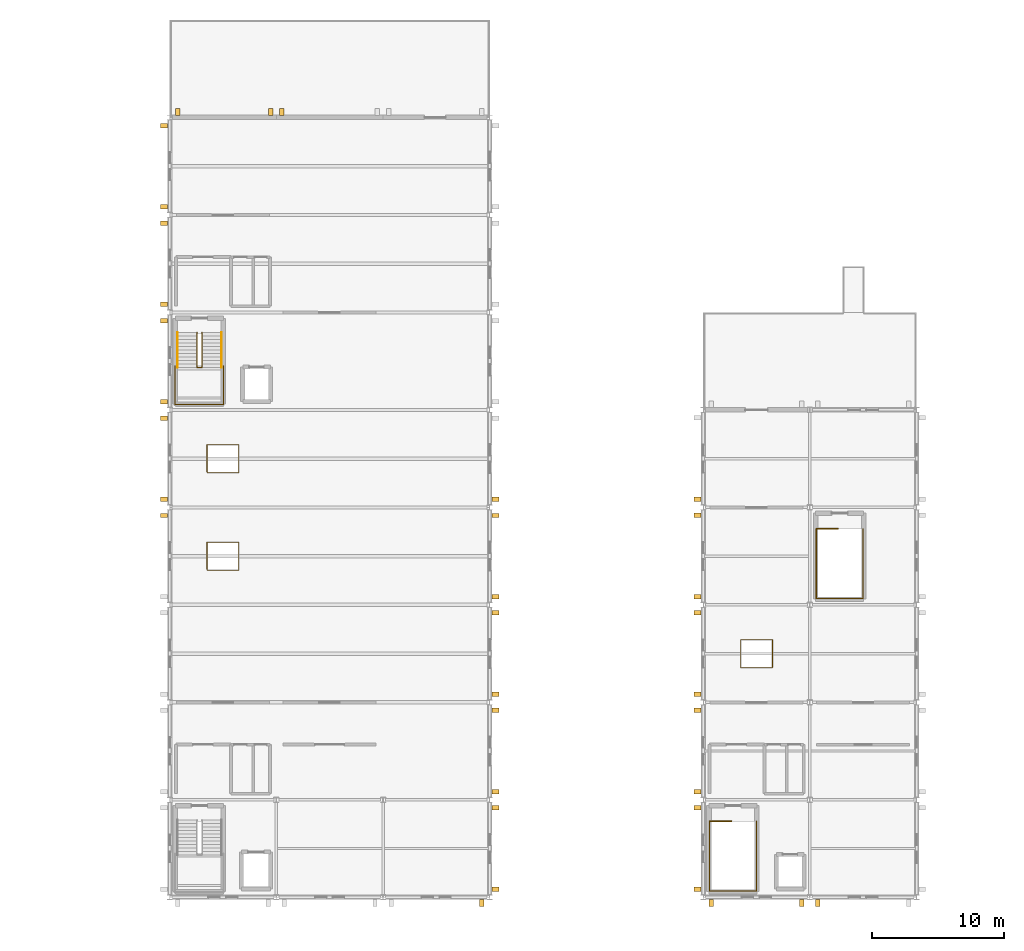
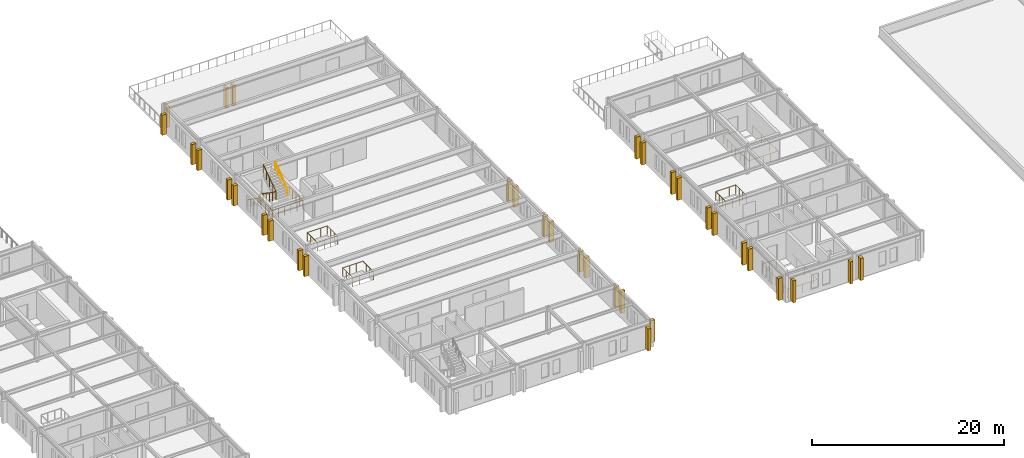
# One storey, part 18 of 19: 34 shading devices, 9 railings.
"""IFC4 building model written with IfcOpenShell, lengths in metres."""

from ifc_helpers import new_model, si_unit, direction, frame, origin, origin_2d, place, context, subcontext, project, spatial, rectangle, circle, extrude, material, type_object, element, save


model = new_model("IFC4")

# Units and contexts
model_context = context("Model", 3, precision=1e-05, world=origin(), true_north=direction((0.0, 1.0)))
body_context = subcontext(model_context, "Body", "Model", "MODEL_VIEW")
ifc_project = project(units=[si_unit("LENGTHUNIT", "METRE"), si_unit("AREAUNIT", "SQUARE_METRE"), si_unit("VOLUMEUNIT", "CUBIC_METRE"), si_unit("PLANEANGLEUNIT", "RADIAN"), si_unit("MASSUNIT", "GRAM", prefix="KILO")], contexts=[model_context])

# Site, building, storey
site_placement = place(None, origin())
site = spatial("IfcSite", under=ifc_project, at=site_placement, CompositionType="ELEMENT")
building_placement = place(site_placement, origin())
building = spatial("IfcBuilding", under=site, at=building_placement, Name="Cimatlan Art Gallery", CompositionType="ELEMENT")
storey_placement = place(building_placement, frame((0.0, 0.0, 17.39990234375)))
storey = spatial("IfcBuildingStorey", under=building, at=storey_placement, Name="L04", CompositionType="ELEMENT", Elevation=17.39990234375)

# Railings
ifc_material_1 = material(Name="Painted steel and bronze interior balustrade", Category="steel")
railing_type_1 = type_object("IfcRailingType", Name="RL-BAL-INT-1120", PredefinedType="BALUSTRADE", material=ifc_material_1)
railing_1_placement = place(storey_placement, frame((117.550048828125, 29.679931640625, 0.0)))
element("IfcRailing", 1, at=railing_1_placement, inside=storey, type_object=railing_type_1, Name="GR-WELL-TOP-C4", PredefinedType="BALUSTRADE", context=body_context, shape_type="SweptSolid", body=[
    extrude(circle(Radius=0.02392578125, at=origin_2d()), frame((0.0, 0.0, 1.09619140625), z_axis=(-1.0, 0.0, 0.0), x_axis=(0.0, -1.0, 0.0)), (0.0, 0.0, 1.0), 1.670166015625),
    extrude(circle(Radius=0.02392578125, at=origin_2d()), frame((-1.670166015625, 0.0, 1.09619140625), z_axis=(0.0, -1.0, 0.0), x_axis=(1.0, 0.0, 0.0)), (0.0, 0.0, 1.0), 5.300048828125),
    extrude(circle(Radius=0.02392578125, at=origin_2d()), frame((-1.670166015625, -5.300048828125, 1.09619140625), z_axis=(1.0, 0.0, 0.0), x_axis=(0.0, 1.0, 0.0)), (0.0, 0.0, 1.0), 3.56005859375),
    extrude(circle(Radius=0.02392578125, at=origin_2d()), frame((1.889892578125, -5.300048828125, 1.09619140625), z_axis=(0.0, 1.0, 0.0), x_axis=(-1.0, 0.0, 0.0)), (0.0, 0.0, 1.0), 5.300048828125),
    extrude(circle(Radius=0.02001953125, at=origin_2d()), origin(), (0.0, 0.0, 1.0), 1.072021484375),
    extrude(circle(Radius=0.02001953125, at=origin_2d()), frame((-0.8349609375, 0.0, 0.0)), (0.0, 0.0, 1.0), 1.072021484375),
    extrude(circle(Radius=0.02001953125, at=origin_2d()), frame((-1.670166015625, 0.0, 0.0)), (0.0, 0.0, 1.0), 1.072021484375),
    extrude(circle(Radius=0.02001953125, at=origin_2d()), frame((-1.670166015625, -0.88330078125, 0.0)), (0.0, 0.0, 1.0), 1.072021484375),
    extrude(circle(Radius=0.02001953125, at=origin_2d()), frame((-1.670166015625, -1.7666015625, 0.0)), (0.0, 0.0, 1.0), 1.072021484375),
    extrude(circle(Radius=0.02001953125, at=origin_2d()), frame((-1.670166015625, -2.64990234375, 0.0)), (0.0, 0.0, 1.0), 1.072021484375),
    extrude(circle(Radius=0.02001953125, at=origin_2d()), frame((-1.670166015625, -3.533447265625, 0.0)), (0.0, 0.0, 1.0), 1.072021484375),
    extrude(circle(Radius=0.02001953125, at=origin_2d()), frame((-1.670166015625, -4.416748046875, 0.0)), (0.0, 0.0, 1.0), 1.072021484375),
    extrude(circle(Radius=0.02001953125, at=origin_2d()), frame((-1.670166015625, -5.300048828125, 0.0)), (0.0, 0.0, 1.0), 1.072021484375),
    extrude(circle(Radius=0.02001953125, at=origin_2d()), frame((-0.7802734375, -5.300048828125, 0.0)), (0.0, 0.0, 1.0), 1.072021484375),
    extrude(circle(Radius=0.02001953125, at=origin_2d()), frame((0.10986328125, -5.300048828125, 0.0)), (0.0, 0.0, 1.0), 1.072021484375),
    extrude(circle(Radius=0.02001953125, at=origin_2d()), frame((1.0, -5.300048828125, 0.0)), (0.0, 0.0, 1.0), 1.072021484375),
    extrude(circle(Radius=0.02001953125, at=origin_2d()), frame((1.889892578125, -5.300048828125, 0.0)), (0.0, 0.0, 1.0), 1.072021484375),
    extrude(circle(Radius=0.02001953125, at=origin_2d()), frame((1.889892578125, -4.416748046875, 0.0)), (0.0, 0.0, 1.0), 1.072021484375),
    extrude(circle(Radius=0.02001953125, at=origin_2d()), frame((1.889892578125, -3.533447265625, 0.0)), (0.0, 0.0, 1.0), 1.072021484375),
    extrude(circle(Radius=0.02001953125, at=origin_2d()), frame((1.889892578125, -2.64990234375, 0.0)), (0.0, 0.0, 1.0), 1.072021484375),
    extrude(circle(Radius=0.02001953125, at=origin_2d()), frame((1.889892578125, -1.7666015625, 0.0)), (0.0, 0.0, 1.0), 1.072021484375),
    extrude(circle(Radius=0.02001953125, at=origin_2d()), frame((1.889892578125, -0.88330078125, 0.0)), (0.0, 0.0, 1.0), 1.072021484375),
    extrude(circle(Radius=0.02001953125, at=origin_2d()), frame((1.889892578125, 0.0, 0.0)), (0.0, 0.0, 1.0), 1.072021484375),
])
railing_2_placement = place(storey_placement, frame((75.31005859375, 64.239990234375, 1.800048828125)))
element("IfcRailing", 2, at=railing_2_placement, inside=storey, type_object=railing_type_1, Name="STR-C6-L04-LGRD", PredefinedType="BALUSTRADE", context=body_context, shape_type="SweptSolid", body=[
    extrude(circle(Radius=0.02392578125, at=origin_2d()), frame((0.0, 0.0, 1.09619140625), z_axis=(0.0, -1.0, 0.0), x_axis=(1.0, 0.0, 0.0)), (0.0, 0.0, 1.0), 2.929931640625),
    extrude(circle(Radius=0.02392578125, at=origin_2d()), frame((0.0, -2.929931640625, 1.09619140625), z_axis=(1.0, 0.0, 0.0), x_axis=(0.0, 1.0, 0.0)), (0.0, 0.0, 1.0), 3.669921875),
    extrude(circle(Radius=0.02392578125, at=origin_2d()), frame((3.669921875, -2.929931640625, 1.09619140625), z_axis=(0.0, 1.0, 0.0), x_axis=(-1.0, 0.0, 0.0)), (0.0, 0.0, 1.0), 2.929931640625),
    extrude(circle(Radius=0.02001953125, at=origin_2d()), origin(), (0.0, 0.0, 1.0), 1.072021484375),
    extrude(circle(Radius=0.02001953125, at=origin_2d()), frame((0.0, -0.732421875, 0.0)), (0.0, 0.0, 1.0), 1.072021484375),
    extrude(circle(Radius=0.02001953125, at=origin_2d()), frame((0.0, -1.46484375, 0.0)), (0.0, 0.0, 1.0), 1.072021484375),
    extrude(circle(Radius=0.02001953125, at=origin_2d()), frame((0.0, -2.197509765625, 0.0)), (0.0, 0.0, 1.0), 1.072021484375),
    extrude(circle(Radius=0.02001953125, at=origin_2d()), frame((0.0, -2.929931640625, 0.0)), (0.0, 0.0, 1.0), 1.072021484375),
    extrude(circle(Radius=0.02001953125, at=origin_2d()), frame((0.73388671875, -2.929931640625, 0.0)), (0.0, 0.0, 1.0), 1.072021484375),
    extrude(circle(Radius=0.02001953125, at=origin_2d()), frame((1.468017578125, -2.929931640625, 0.0)), (0.0, 0.0, 1.0), 1.072021484375),
    extrude(circle(Radius=0.02001953125, at=origin_2d()), frame((2.201904296875, -2.929931640625, 0.0)), (0.0, 0.0, 1.0), 1.072021484375),
    extrude(circle(Radius=0.02001953125, at=origin_2d()), frame((2.93603515625, -2.929931640625, 0.0)), (0.0, 0.0, 1.0), 1.072021484375),
    extrude(circle(Radius=0.02001953125, at=origin_2d()), frame((3.669921875, -2.929931640625, 0.0)), (0.0, 0.0, 1.0), 1.072021484375),
    extrude(circle(Radius=0.02001953125, at=origin_2d()), frame((3.669921875, -2.197509765625, 0.0)), (0.0, 0.0, 1.0), 1.072021484375),
    extrude(circle(Radius=0.02001953125, at=origin_2d()), frame((3.669921875, -1.46484375, 0.0)), (0.0, 0.0, 1.0), 1.072021484375),
    extrude(circle(Radius=0.02001953125, at=origin_2d()), frame((3.669921875, -0.732421875, 0.0)), (0.0, 0.0, 1.0), 1.072021484375),
    extrude(circle(Radius=0.02001953125, at=origin_2d()), frame((3.669921875, 0.0, 0.0)), (0.0, 0.0, 1.0), 1.072021484375),
])
railing_3_placement = place(storey_placement, frame((76.969970703125, 66.780029296875, 0.0)))
element("IfcRailing", 3, at=railing_3_placement, inside=storey, type_object=railing_type_1, Name="STR-C6-L04-GRD", PredefinedType="BALUSTRADE", context=body_context, shape_type="SweptSolid", body=[
    extrude(circle(Radius=0.02392578125, at=origin_2d()), frame((0.0, 0.0, 1.09619140625), z_axis=(0.0, -0.827224042694, 0.561872212509), x_axis=(1.0, 0.0, 0.0)), (0.0, 0.0, 1.0), 3.20361328125),
    extrude(circle(Radius=0.02392578125, at=origin_2d()), frame((0.0, -2.650146484375, 2.89599609375), z_axis=(1.0, 0.0, 0.0), x_axis=(0.0, 1.0, 0.0)), (0.0, 0.0, 1.0), 0.400146484375),
    extrude(circle(Radius=0.02392578125, at=origin_2d()), frame((0.400146484375, -2.650146484375, 2.89599609375), z_axis=(0.0, 0.827224042694, 0.561872212509), x_axis=(-1.0, 0.0, 0.0)), (0.0, 0.0, 1.0), 3.20361328125),
    extrude(circle(Radius=0.02001953125, at=origin_2d()), origin(), (0.0, 0.0, 1.0), 1.072021484375),
    extrude(circle(Radius=0.02001953125, at=origin_2d()), frame((0.0, -0.66259765625, 0.449951171875)), (0.0, 0.0, 1.0), 1.072021484375),
    extrude(circle(Radius=0.02001953125, at=origin_2d()), frame((0.0, -1.3251953125, 0.89990234375)), (0.0, 0.0, 1.0), 1.072021484375),
    extrude(circle(Radius=0.02001953125, at=origin_2d()), frame((0.0, -1.987548828125, 1.35009765625)), (0.0, 0.0, 1.0), 1.072021484375),
    extrude(circle(Radius=0.02001953125, at=origin_2d()), frame((0.0, -2.650146484375, 1.800048828125)), (0.0, 0.0, 1.0), 1.072021484375),
    extrude(circle(Radius=0.02001953125, at=origin_2d()), frame((0.400146484375, -2.650146484375, 1.800048828125)), (0.0, 0.0, 1.0), 1.072021484375),
    extrude(circle(Radius=0.02001953125, at=origin_2d()), frame((0.400146484375, -1.987548828125, 2.25)), (0.0, 0.0, 1.0), 1.072021484375),
    extrude(circle(Radius=0.02001953125, at=origin_2d()), frame((0.400146484375, -1.3251953125, 2.7001953125)), (0.0, 0.0, 1.0), 1.072021484375),
    extrude(circle(Radius=0.02001953125, at=origin_2d()), frame((0.400146484375, -0.66259765625, 3.150146484375)), (0.0, 0.0, 1.0), 1.072021484375),
    extrude(circle(Radius=0.02001953125, at=origin_2d()), frame((0.400146484375, 0.0, 3.60009765625)), (0.0, 0.0, 1.0), 1.072021484375),
])
railing_4_placement = place(storey_placement, frame((125.64990234375, 51.8798828125, 0.0)))
element("IfcRailing", 4, at=railing_4_placement, inside=storey, type_object=railing_type_1, Name="GR-WELL-TOP-C9", PredefinedType="BALUSTRADE", context=body_context, shape_type="SweptSolid", body=[
    extrude(circle(Radius=0.02392578125, at=origin_2d()), frame((0.0, 0.0, 1.09619140625), z_axis=(-1.0, 0.0, 0.0), x_axis=(0.0, -1.0, 0.0)), (0.0, 0.0, 1.0), 1.669921875),
    extrude(circle(Radius=0.02392578125, at=origin_2d()), frame((-1.669921875, 0.0, 1.09619140625), z_axis=(0.0, -1.0, 0.0), x_axis=(1.0, 0.0, 0.0)), (0.0, 0.0, 1.0), 5.2998046875),
    extrude(circle(Radius=0.02392578125, at=origin_2d()), frame((-1.669921875, -5.2998046875, 1.09619140625), z_axis=(1.0, 0.0, 0.0), x_axis=(0.0, 1.0, 0.0)), (0.0, 0.0, 1.0), 3.56005859375),
    extrude(circle(Radius=0.02392578125, at=origin_2d()), frame((1.89013671875, -5.2998046875, 1.09619140625), z_axis=(0.0, 1.0, 0.0), x_axis=(-1.0, 0.0, 0.0)), (0.0, 0.0, 1.0), 5.2998046875),
    extrude(circle(Radius=0.02001953125, at=origin_2d()), origin(), (0.0, 0.0, 1.0), 1.072021484375),
    extrude(circle(Radius=0.02001953125, at=origin_2d()), frame((-0.8349609375, 0.0, 0.0)), (0.0, 0.0, 1.0), 1.072021484375),
    extrude(circle(Radius=0.02001953125, at=origin_2d()), frame((-1.669921875, 0.0, 0.0)), (0.0, 0.0, 1.0), 1.072021484375),
    extrude(circle(Radius=0.02001953125, at=origin_2d()), frame((-1.669921875, -0.88330078125, 0.0)), (0.0, 0.0, 1.0), 1.072021484375),
    extrude(circle(Radius=0.02001953125, at=origin_2d()), frame((-1.669921875, -1.7666015625, 0.0)), (0.0, 0.0, 1.0), 1.072021484375),
    extrude(circle(Radius=0.02001953125, at=origin_2d()), frame((-1.669921875, -2.64990234375, 0.0)), (0.0, 0.0, 1.0), 1.072021484375),
    extrude(circle(Radius=0.02001953125, at=origin_2d()), frame((-1.669921875, -3.533203125, 0.0)), (0.0, 0.0, 1.0), 1.072021484375),
    extrude(circle(Radius=0.02001953125, at=origin_2d()), frame((-1.669921875, -4.41650390625, 0.0)), (0.0, 0.0, 1.0), 1.072021484375),
    extrude(circle(Radius=0.02001953125, at=origin_2d()), frame((-1.669921875, -5.2998046875, 0.0)), (0.0, 0.0, 1.0), 1.072021484375),
    extrude(circle(Radius=0.02001953125, at=origin_2d()), frame((-0.77978515625, -5.2998046875, 0.0)), (0.0, 0.0, 1.0), 1.072021484375),
    extrude(circle(Radius=0.02001953125, at=origin_2d()), frame((0.110107421875, -5.2998046875, 0.0)), (0.0, 0.0, 1.0), 1.072021484375),
    extrude(circle(Radius=0.02001953125, at=origin_2d()), frame((1.0, -5.2998046875, 0.0)), (0.0, 0.0, 1.0), 1.072021484375),
    extrude(circle(Radius=0.02001953125, at=origin_2d()), frame((1.89013671875, -5.2998046875, 0.0)), (0.0, 0.0, 1.0), 1.072021484375),
    extrude(circle(Radius=0.02001953125, at=origin_2d()), frame((1.89013671875, -4.41650390625, 0.0)), (0.0, 0.0, 1.0), 1.072021484375),
    extrude(circle(Radius=0.02001953125, at=origin_2d()), frame((1.89013671875, -3.533203125, 0.0)), (0.0, 0.0, 1.0), 1.072021484375),
    extrude(circle(Radius=0.02001953125, at=origin_2d()), frame((1.89013671875, -2.64990234375, 0.0)), (0.0, 0.0, 1.0), 1.072021484375),
    extrude(circle(Radius=0.02001953125, at=origin_2d()), frame((1.89013671875, -1.7666015625, 0.0)), (0.0, 0.0, 1.0), 1.072021484375),
    extrude(circle(Radius=0.02001953125, at=origin_2d()), frame((1.89013671875, -0.88330078125, 0.0)), (0.0, 0.0, 1.0), 1.072021484375),
    extrude(circle(Radius=0.02001953125, at=origin_2d()), frame((1.89013671875, 0.0, 0.0)), (0.0, 0.0, 1.0), 1.072021484375),
])
railing_5_placement = place(storey_placement, frame((77.739990234375, 48.739990234375, 0.0)))
element("IfcRailing", 5, at=railing_5_placement, inside=storey, type_object=railing_type_1, Name="GR-OCU-L04-B3S", PredefinedType="BALUSTRADE", context=body_context, shape_type="SweptSolid", body=[
    extrude(circle(Radius=0.02392578125, at=origin_2d()), frame((0.0, 0.0, 1.09619140625), z_axis=(1.0, 0.0, 0.0), x_axis=(0.0, 1.0, 0.0)), (0.0, 0.0, 1.0), 2.419921875),
    extrude(circle(Radius=0.02392578125, at=origin_2d()), frame((2.419921875, 0.0, 1.09619140625), z_axis=(0.0, 1.0, 0.0), x_axis=(-1.0, 0.0, 0.0)), (0.0, 0.0, 1.0), 2.1201171875),
    extrude(circle(Radius=0.02392578125, at=origin_2d()), frame((2.419921875, 2.1201171875, 1.09619140625), z_axis=(-1.0, 0.0, 0.0), x_axis=(0.0, -1.0, 0.0)), (0.0, 0.0, 1.0), 2.419921875),
    extrude(circle(Radius=0.02392578125, at=origin_2d()), frame((0.0, 2.1201171875, 1.09619140625), z_axis=(0.0, -1.0, 0.0), x_axis=(1.0, 0.0, 0.0)), (0.0, 0.0, 1.0), 2.080078125),
    extrude(circle(Radius=0.02001953125, at=origin_2d()), origin(), (0.0, 0.0, 1.0), 1.072021484375),
    extrude(circle(Radius=0.02001953125, at=origin_2d()), frame((0.806640625, 0.0, 0.0)), (0.0, 0.0, 1.0), 1.072021484375),
    extrude(circle(Radius=0.02001953125, at=origin_2d()), frame((1.61328125, 0.0, 0.0)), (0.0, 0.0, 1.0), 1.072021484375),
    extrude(circle(Radius=0.02001953125, at=origin_2d()), frame((2.419921875, 0.0, 0.0)), (0.0, 0.0, 1.0), 1.072021484375),
    extrude(circle(Radius=0.02001953125, at=origin_2d()), frame((2.419921875, 0.706787109375, 0.0)), (0.0, 0.0, 1.0), 1.072021484375),
    extrude(circle(Radius=0.02001953125, at=origin_2d()), frame((2.419921875, 1.413330078125, 0.0)), (0.0, 0.0, 1.0), 1.072021484375),
    extrude(circle(Radius=0.02001953125, at=origin_2d()), frame((2.419921875, 2.1201171875, 0.0)), (0.0, 0.0, 1.0), 1.072021484375),
    extrude(circle(Radius=0.02001953125, at=origin_2d()), frame((1.61328125, 2.1201171875, 0.0)), (0.0, 0.0, 1.0), 1.072021484375),
    extrude(circle(Radius=0.02001953125, at=origin_2d()), frame((0.806640625, 2.1201171875, 0.0)), (0.0, 0.0, 1.0), 1.072021484375),
    extrude(circle(Radius=0.02001953125, at=origin_2d()), frame((0.0, 2.1201171875, 0.0)), (0.0, 0.0, 1.0), 1.072021484375),
    extrude(circle(Radius=0.02001953125, at=origin_2d()), frame((0.0, 1.4267578125, 0.0)), (0.0, 0.0, 1.0), 1.072021484375),
    extrude(circle(Radius=0.02001953125, at=origin_2d()), frame((0.0, 0.7333984375, 0.0)), (0.0, 0.0, 1.0), 1.072021484375),
    extrude(circle(Radius=0.02001953125, at=origin_2d()), frame((0.0, 0.0400390625, 0.0)), (0.0, 0.0, 1.0), 1.072021484375),
])
railing_6_placement = place(storey_placement, frame((77.739990234375, 56.139892578125, 0.0)))
element("IfcRailing", 6, at=railing_6_placement, inside=storey, type_object=railing_type_1, Name="GR-OCU-L04-B3N", PredefinedType="BALUSTRADE", context=body_context, shape_type="SweptSolid", body=[
    extrude(circle(Radius=0.02392578125, at=origin_2d()), frame((0.0, 0.0, 1.09619140625), z_axis=(1.0, 0.0, 0.0), x_axis=(0.0, 1.0, 0.0)), (0.0, 0.0, 1.0), 2.419921875),
    extrude(circle(Radius=0.02392578125, at=origin_2d()), frame((2.419921875, 0.0, 1.09619140625), z_axis=(0.0, 1.0, 0.0), x_axis=(-1.0, 0.0, 0.0)), (0.0, 0.0, 1.0), 2.1201171875),
    extrude(circle(Radius=0.02392578125, at=origin_2d()), frame((2.419921875, 2.1201171875, 1.09619140625), z_axis=(-1.0, 0.0, 0.0), x_axis=(0.0, -1.0, 0.0)), (0.0, 0.0, 1.0), 2.419921875),
    extrude(circle(Radius=0.02392578125, at=origin_2d()), frame((0.0, 2.1201171875, 1.09619140625), z_axis=(0.0, -1.0, 0.0), x_axis=(1.0, 0.0, 0.0)), (0.0, 0.0, 1.0), 2.080078125),
    extrude(circle(Radius=0.02001953125, at=origin_2d()), origin(), (0.0, 0.0, 1.0), 1.072021484375),
    extrude(circle(Radius=0.02001953125, at=origin_2d()), frame((0.806640625, 0.0, 0.0)), (0.0, 0.0, 1.0), 1.072021484375),
    extrude(circle(Radius=0.02001953125, at=origin_2d()), frame((1.61328125, 0.0, 0.0)), (0.0, 0.0, 1.0), 1.072021484375),
    extrude(circle(Radius=0.02001953125, at=origin_2d()), frame((2.419921875, 0.0, 0.0)), (0.0, 0.0, 1.0), 1.072021484375),
    extrude(circle(Radius=0.02001953125, at=origin_2d()), frame((2.419921875, 0.706787109375, 0.0)), (0.0, 0.0, 1.0), 1.072021484375),
    extrude(circle(Radius=0.02001953125, at=origin_2d()), frame((2.419921875, 1.413330078125, 0.0)), (0.0, 0.0, 1.0), 1.072021484375),
    extrude(circle(Radius=0.02001953125, at=origin_2d()), frame((2.419921875, 2.1201171875, 0.0)), (0.0, 0.0, 1.0), 1.072021484375),
    extrude(circle(Radius=0.02001953125, at=origin_2d()), frame((1.61328125, 2.1201171875, 0.0)), (0.0, 0.0, 1.0), 1.072021484375),
    extrude(circle(Radius=0.02001953125, at=origin_2d()), frame((0.806640625, 2.1201171875, 0.0)), (0.0, 0.0, 1.0), 1.072021484375),
    extrude(circle(Radius=0.02001953125, at=origin_2d()), frame((0.0, 2.1201171875, 0.0)), (0.0, 0.0, 1.0), 1.072021484375),
    extrude(circle(Radius=0.02001953125, at=origin_2d()), frame((0.0, 1.4267578125, 0.0)), (0.0, 0.0, 1.0), 1.072021484375),
    extrude(circle(Radius=0.02001953125, at=origin_2d()), frame((0.0, 0.7333984375, 0.0)), (0.0, 0.0, 1.0), 1.072021484375),
    extrude(circle(Radius=0.02001953125, at=origin_2d()), frame((0.0, 0.0400390625, 0.0)), (0.0, 0.0, 1.0), 1.072021484375),
])
railing_7_placement = place(storey_placement, frame((118.239990234375, 41.340087890625, 0.0)))
element("IfcRailing", 7, at=railing_7_placement, inside=storey, type_object=railing_type_1, Name="GR-OCU-L04-B4S", PredefinedType="BALUSTRADE", context=body_context, shape_type="SweptSolid", body=[
    extrude(circle(Radius=0.02392578125, at=origin_2d()), frame((0.0, 0.0, 1.09619140625), z_axis=(1.0, 0.0, 0.0), x_axis=(0.0, 1.0, 0.0)), (0.0, 0.0, 1.0), 2.419921875),
    extrude(circle(Radius=0.02392578125, at=origin_2d()), frame((2.419921875, 0.0, 1.09619140625), z_axis=(0.0, 1.0, 0.0), x_axis=(-1.0, 0.0, 0.0)), (0.0, 0.0, 1.0), 2.119873046875),
    extrude(circle(Radius=0.02392578125, at=origin_2d()), frame((2.419921875, 2.119873046875, 1.09619140625), z_axis=(-1.0, 0.0, 0.0), x_axis=(0.0, -1.0, 0.0)), (0.0, 0.0, 1.0), 2.419921875),
    extrude(circle(Radius=0.02392578125, at=origin_2d()), frame((0.0, 2.119873046875, 1.09619140625), z_axis=(0.0, -1.0, 0.0), x_axis=(1.0, 0.0, 0.0)), (0.0, 0.0, 1.0), 2.080078125),
    extrude(circle(Radius=0.02001953125, at=origin_2d()), origin(), (0.0, 0.0, 1.0), 1.072021484375),
    extrude(circle(Radius=0.02001953125, at=origin_2d()), frame((0.806640625, 0.0, 0.0)), (0.0, 0.0, 1.0), 1.072021484375),
    extrude(circle(Radius=0.02001953125, at=origin_2d()), frame((1.61328125, 0.0, 0.0)), (0.0, 0.0, 1.0), 1.072021484375),
    extrude(circle(Radius=0.02001953125, at=origin_2d()), frame((2.419921875, 0.0, 0.0)), (0.0, 0.0, 1.0), 1.072021484375),
    extrude(circle(Radius=0.02001953125, at=origin_2d()), frame((2.419921875, 0.70654296875, 0.0)), (0.0, 0.0, 1.0), 1.072021484375),
    extrude(circle(Radius=0.02001953125, at=origin_2d()), frame((2.419921875, 1.413330078125, 0.0)), (0.0, 0.0, 1.0), 1.072021484375),
    extrude(circle(Radius=0.02001953125, at=origin_2d()), frame((2.419921875, 2.119873046875, 0.0)), (0.0, 0.0, 1.0), 1.072021484375),
    extrude(circle(Radius=0.02001953125, at=origin_2d()), frame((1.61328125, 2.119873046875, 0.0)), (0.0, 0.0, 1.0), 1.072021484375),
    extrude(circle(Radius=0.02001953125, at=origin_2d()), frame((0.806640625, 2.119873046875, 0.0)), (0.0, 0.0, 1.0), 1.072021484375),
    extrude(circle(Radius=0.02001953125, at=origin_2d()), frame((0.0, 2.119873046875, 0.0)), (0.0, 0.0, 1.0), 1.072021484375),
    extrude(circle(Radius=0.02001953125, at=origin_2d()), frame((0.0, 1.426513671875, 0.0)), (0.0, 0.0, 1.0), 1.072021484375),
    extrude(circle(Radius=0.02001953125, at=origin_2d()), frame((0.0, 0.733154296875, 0.0)), (0.0, 0.0, 1.0), 1.072021484375),
    extrude(circle(Radius=0.02001953125, at=origin_2d()), frame((0.0, 0.039794921875, 0.0)), (0.0, 0.0, 1.0), 1.072021484375),
])
ifc_material_2 = material(Name="Brushed bronze stair handrail")
railing_type_2 = type_object("IfcRailingType", Name="RL-HND-INT-920", PredefinedType="HANDRAIL", material=ifc_material_2)
railing_8_placement = place(storey_placement, frame((75.510009765625, 66.780029296875, 0.0)))
element("IfcRailing", 8, at=railing_8_placement, inside=storey, type_object=railing_type_2, Name="STR-C6-L04-HR1", PredefinedType="HANDRAIL", context=body_context, shape_type="SweptSolid", body=[
    extrude(circle(Radius=0.02197265625, at=origin_2d()), frame((0.0, 0.0, 0.89794921875), z_axis=(0.0, -0.827224042694, 0.561872212509), x_axis=(1.0, 0.0, 0.0)), (0.0, 0.0, 1.0), 3.20361328125),
    extrude(circle(Radius=0.01904296875, at=origin_2d()), origin(), (0.0, 0.0, 1.0), 0.8759765625),
    extrude(circle(Radius=0.01904296875, at=origin_2d()), frame((0.0, -0.66259765625, 0.449951171875)), (0.0, 0.0, 1.0), 0.8759765625),
    extrude(circle(Radius=0.01904296875, at=origin_2d()), frame((0.0, -1.3251953125, 0.89990234375)), (0.0, 0.0, 1.0), 0.8759765625),
    extrude(circle(Radius=0.01904296875, at=origin_2d()), frame((0.0, -1.987548828125, 1.35009765625)), (0.0, 0.0, 1.0), 0.8759765625),
    extrude(circle(Radius=0.01904296875, at=origin_2d()), frame((0.0, -2.650146484375, 1.800048828125)), (0.0, 0.0, 1.0), 0.8759765625),
])
railing_9_placement = place(storey_placement, frame((78.830078125, 64.1298828125, 1.800048828125)))
element("IfcRailing", 9, at=railing_9_placement, inside=storey, type_object=railing_type_2, Name="STR-C6-L04-HR2", PredefinedType="HANDRAIL", context=body_context, shape_type="SweptSolid", body=[
    extrude(circle(Radius=0.02197265625, at=origin_2d()), frame((0.0, 0.0, 0.89794921875), z_axis=(0.0, 0.827224042694, 0.561872212509), x_axis=(-1.0, 0.0, 0.0)), (0.0, 0.0, 1.0), 3.20361328125),
    extrude(circle(Radius=0.01904296875, at=origin_2d()), origin(), (0.0, 0.0, 1.0), 0.8759765625),
    extrude(circle(Radius=0.01904296875, at=origin_2d()), frame((0.0, 0.66259765625, 0.449951171875)), (0.0, 0.0, 1.0), 0.8759765625),
    extrude(circle(Radius=0.01904296875, at=origin_2d()), frame((0.0, 1.3251953125, 0.89990234375)), (0.0, 0.0, 1.0), 0.8759765625),
    extrude(circle(Radius=0.01904296875, at=origin_2d()), frame((0.0, 1.987548828125, 1.35009765625)), (0.0, 0.0, 1.0), 0.8759765625),
    extrude(circle(Radius=0.01904296875, at=origin_2d()), frame((0.0, 2.650146484375, 1.800048828125)), (0.0, 0.0, 1.0), 0.8759765625),
])

# Shading devices
ifc_material_3 = material(Name="Queretaro cantera limestone buttress pilaster", Category="masonry")
shading_device_type = type_object("IfcShadingDeviceType", Name="SHD-BUT-520", PredefinedType="USERDEFINED", material=ifc_material_3)
for number, where, z_axis, x_axis, name in (
    (10, (74.471923828125, 52.887939453125, 0.06005859375), (0.0, 0.0, 1.0), (0.0, 1.0, 0.0), "BUT-0490"),
    (11, (74.471923828125, 54.112060546875, 0.06005859375), (0.0, 0.0, 1.0), (0.0, 1.0, 0.0), "BUT-0491"),
    (12, (74.471923828125, 60.2880859375, 0.06005859375), (0.0, 0.0, 1.0), (0.0, 1.0, 0.0), "BUT-0492"),
    (13, (74.471923828125, 61.511962890625, 0.06005859375), (0.0, 0.0, 1.0), (0.0, 1.0, 0.0), "BUT-0493"),
    (14, (74.471923828125, 67.68798828125, 0.06005859375), (0.0, 0.0, 1.0), (0.0, 1.0, 0.0), "BUT-0494"),
    (15, (74.471923828125, 68.912109375, 0.06005859375), (0.0, 0.0, 1.0), (0.0, 1.0, 0.0), "BUT-0495"),
    (16, (74.471923828125, 75.087890625, 0.06005859375), (0.0, 0.0, 1.0), (0.0, 1.0, 0.0), "BUT-0496"),
    (17, (75.52099609375, 83.528076171875, 0.06005859375), (0.0, 0.0, 1.0), (1.0, 0.0, 0.0), "BUT-0497"),
    (18, (82.575927734375, 83.528076171875, 0.06005859375), (0.0, 0.0, 1.0), (1.0, 0.0, 0.0), "BUT-0498"),
    (19, (74.471923828125, 76.31201171875, 0.06005859375), (0.0, 0.0, 1.0), (0.0, 1.0, 0.0), "BUT-0499"),
    (20, (74.471923828125, 82.488037109375, 0.06005859375), (0.0, 0.0, 1.0), (0.0, 1.0, 0.0), "BUT-0500"),
    (21, (83.424072265625, 83.528076171875, 0.06005859375), (0.0, 0.0, 1.0), (1.0, 0.0, 0.0), "BUT-0503"),
):
    element("IfcShadingDevice", number, at=place(storey_placement, frame(where, z_axis=z_axis, x_axis=x_axis)), inside=storey, type_object=shading_device_type, Name=name, ObjectType="FIN", PredefinedType="USERDEFINED", context=body_context, shape_type="SweptSolid", body=[
        extrude(rectangle(XDim=0.340087890625, YDim=0.52001953125, at=origin_2d()), origin(), (0.0, 0.0, 1.0), 2.56103515625),
    ])
for number, where, z_axis, x_axis, name in (
    (22, (98.5791015625, 23.471923828125, 0.06005859375), (0.0, 0.0, 1.0), (-1.0, 0.0, 0.0), "BUT-0505"),
    (23, (99.6279296875, 30.68798828125, 0.06005859375), (0.0, 0.0, 1.0), (0.0, -1.0, 0.0), "BUT-0507"),
    (24, (99.6279296875, 24.511962890625, 0.06005859375), (0.0, 0.0, 1.0), (0.0, -1.0, 0.0), "BUT-0508"),
):
    element("IfcShadingDevice", number, at=place(storey_placement, frame(where, z_axis=z_axis, x_axis=x_axis)), inside=storey, type_object=shading_device_type, Name=name, ObjectType="FIN", PredefinedType="USERDEFINED", context=body_context, shape_type="SweptSolid", body=[
        extrude(rectangle(XDim=0.340087890625, YDim=0.52001953125, at=origin_2d()), origin(), (0.0, 0.0, 1.0), 2.7880859375),
    ])
for number, where, z_axis, x_axis, name in (
    (25, (99.6279296875, 38.087890625, 0.06005859375), (0.0, 0.0, 1.0), (0.0, -1.0, 0.0), "BUT-0509"),
    (26, (99.6279296875, 31.912109375, 0.06005859375), (0.0, 0.0, 1.0), (0.0, -1.0, 0.0), "BUT-0510"),
    (27, (99.6279296875, 45.488037109375, 0.06005859375), (0.0, 0.0, 1.0), (0.0, -1.0, 0.0), "BUT-0511"),
    (28, (99.6279296875, 39.31201171875, 0.06005859375), (0.0, 0.0, 1.0), (0.0, -1.0, 0.0), "BUT-0512"),
    (29, (99.6279296875, 52.887939453125, 0.06005859375), (0.0, 0.0, 1.0), (0.0, -1.0, 0.0), "BUT-0513"),
    (30, (99.6279296875, 46.7119140625, 0.06005859375), (0.0, 0.0, 1.0), (0.0, -1.0, 0.0), "BUT-0514"),
    (31, (99.6279296875, 54.112060546875, 0.06005859375), (0.0, 0.0, 1.0), (0.0, -1.0, 0.0), "BUT-0516"),
):
    element("IfcShadingDevice", number, at=place(storey_placement, frame(where, z_axis=z_axis, x_axis=x_axis)), inside=storey, type_object=shading_device_type, Name=name, ObjectType="FIN", PredefinedType="USERDEFINED", context=body_context, shape_type="SweptSolid", body=[
        extrude(rectangle(XDim=0.340087890625, YDim=0.52001953125, at=origin_2d()), origin(), (0.0, 0.0, 1.0), 2.56103515625),
    ])
for number, where, z_axis, x_axis, name in (
    (32, (122.888916015625, 23.471923828125, 0.06005859375), (0.0, 0.0, 1.0), (-1.0, 0.0, 0.0), "BUT-0525"),
    (33, (116.010986328125, 23.471923828125, 0.06005859375), (0.0, 0.0, 1.0), (-1.0, 0.0, 0.0), "BUT-0526"),
    (34, (114.971923828125, 24.510009765625, 0.06005859375), (0.0, 0.0, 1.0), (0.0, 1.0, 0.0), "BUT-0527"),
    (35, (114.971923828125, 30.68994140625, 0.06005859375), (0.0, 0.0, 1.0), (0.0, 1.0, 0.0), "BUT-0528"),
    (36, (114.971923828125, 31.909912109375, 0.06005859375), (0.0, 0.0, 1.0), (0.0, 1.0, 0.0), "BUT-0529"),
    (37, (114.971923828125, 38.090087890625, 0.06005859375), (0.0, 0.0, 1.0), (0.0, 1.0, 0.0), "BUT-0530"),
    (38, (114.971923828125, 39.31005859375, 0.06005859375), (0.0, 0.0, 1.0), (0.0, 1.0, 0.0), "BUT-0531"),
    (39, (114.971923828125, 45.489990234375, 0.06005859375), (0.0, 0.0, 1.0), (0.0, 1.0, 0.0), "BUT-0532"),
    (40, (114.971923828125, 46.7099609375, 0.06005859375), (0.0, 0.0, 1.0), (0.0, 1.0, 0.0), "BUT-0533"),
    (41, (114.971923828125, 52.889892578125, 0.06005859375), (0.0, 0.0, 1.0), (0.0, 1.0, 0.0), "BUT-0534"),
    (42, (114.971923828125, 54.110107421875, 0.06005859375), (0.0, 0.0, 1.0), (0.0, 1.0, 0.0), "BUT-0537"),
    (43, (124.111083984375, 23.471923828125, 0.06005859375), (0.0, 0.0, 1.0), (-1.0, 0.0, 0.0), "BUT-0540"),
):
    element("IfcShadingDevice", number, at=place(storey_placement, frame(where, z_axis=z_axis, x_axis=x_axis)), inside=storey, type_object=shading_device_type, Name=name, ObjectType="FIN", PredefinedType="USERDEFINED", context=body_context, shape_type="SweptSolid", body=[
        extrude(rectangle(XDim=0.340087890625, YDim=0.52001953125, at=origin_2d()), origin(), (0.0, 0.0, 1.0), 2.7880859375),
    ])

save(model, "model.ifc")
